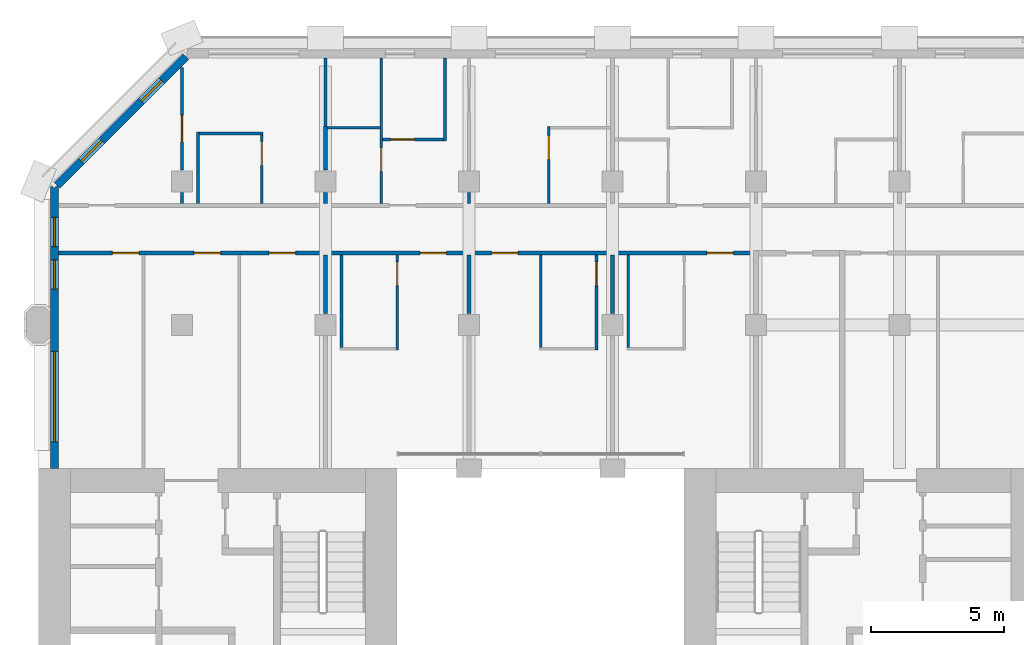
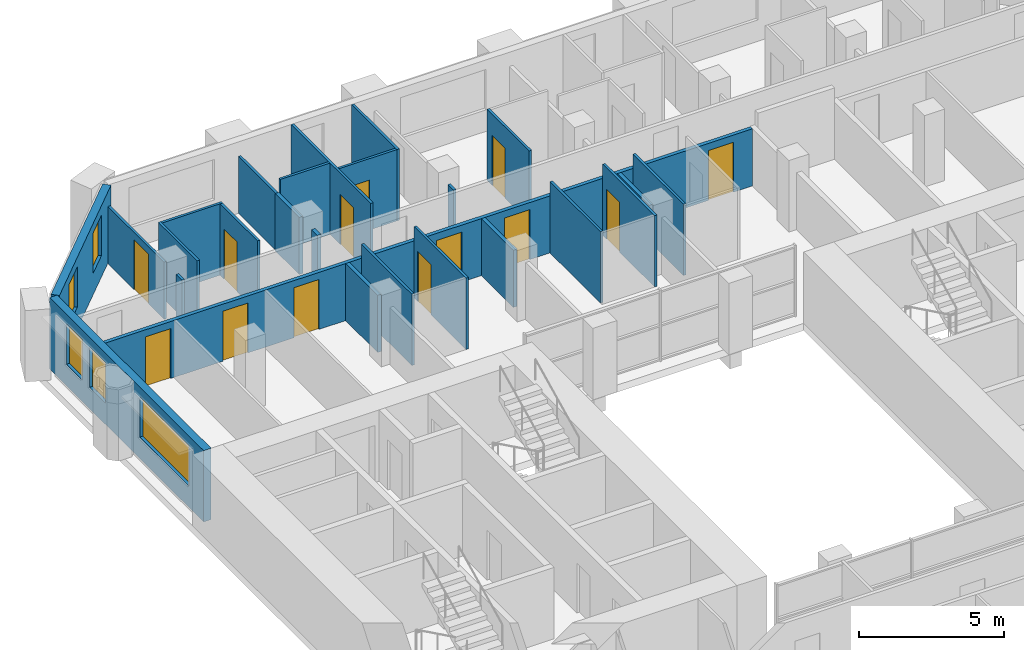
# One storey, part 8 of 13: 25 walls, 13 doors, 5 windows, 18 openings.
"""IFC4 building model written with IfcOpenShell, lengths in metres."""

from ifc_helpers import new_model, si_unit, direction, frame, frame_2d, origin, place, context, subcontext, project, spatial, rectangle, extrude, material, layer, layer_set, type_object, element, fill, save


model = new_model("IFC4")

# Units and contexts
model_context = context("Model", 3, precision=1e-05, world=origin(), true_north=direction((0.0, 1.0)))
body_context = subcontext(model_context, "Body", "Model", "MODEL_VIEW")
ifc_project = project(units=[si_unit("LENGTHUNIT", "METRE"), si_unit("AREAUNIT", "SQUARE_METRE"), si_unit("VOLUMEUNIT", "CUBIC_METRE"), si_unit("PLANEANGLEUNIT", "RADIAN"), si_unit("MASSUNIT", "GRAM", prefix="KILO")], contexts=[model_context])

# Site, building, storey
site_placement = place(None, origin())
site = spatial("IfcSite", under=ifc_project, at=site_placement, CompositionType="ELEMENT")
building_placement = place(site_placement, origin())
building = spatial("IfcBuilding", under=site, at=building_placement, Name="Tabaq Tower and Sports Hall", CompositionType="ELEMENT")
storey_placement = place(building_placement, frame((0.0, 0.0, 203.800048828125)))
storey = spatial("IfcBuildingStorey", under=building, at=storey_placement, Name="L50", CompositionType="ELEMENT", Elevation=203.800048828125)

# Wall, opening, door
ifc_material_1 = material(Name="Gypsum board on steel studs", Category="steel")
ifc_layer_1 = layer(ifc_material_1, 0.10009765625)
ifc_layer_set_1 = layer_set([ifc_layer_1], Name="Partition 100 Gypsum board")
wall_type_1 = type_object("IfcWallType", Name="Partition 100 Gypsum board", PredefinedType="PARTITIONING", material=ifc_layer_set_1)
wall_1_placement = place(storey_placement, frame((18.89990234375, 40.425048828125, 0.0), z_axis=(0.0, 0.0, 1.0), x_axis=(0.0, -1.0, 0.0)))
wall_1 = element("IfcWall", 1, at=wall_1_placement, inside=storey, type_object=wall_type_1, Name="Partition wall L50", PredefinedType="PARTITIONING", context=body_context, shape_type="SweptSolid", body=[
    extrude(rectangle(XDim=3.574951171875, YDim=0.10009765625, at=frame_2d((1.78759765625, 0.0))), origin(), (0.0, 0.0, 1.0), 3.0),
])
opening_1_placement = place(wall_1_placement, frame((0.25, 0.0, 0.0)))
opening_1 = element("IfcOpeningElement", 2, at=opening_1_placement, cuts=wall_1, Name="Opening L50-001", PredefinedType="OPENING", context=body_context, shape_type="SweptSolid", body=[
    extrude(rectangle(XDim=0.89990234375, YDim=2.10009765625, at=frame_2d((0.449951171875, 1.050048828125))), frame((0.0, 0.050048828125, 0.0), z_axis=(0.0, -1.0, 0.0), x_axis=(1.0, 0.0, 0.0)), (0.0, 0.0, 1.0), 0.10009765625),
])
ifc_material_2 = material(Name="Timber leaf in steel frame", Category="steel")
door_type_1 = type_object("IfcDoorType", Name="Internal door 900 right hand", OperationType="SINGLE_SWING_RIGHT", PredefinedType="DOOR", material=ifc_material_2)
door_1_placement = place(opening_1_placement, origin())
door_1 = element("IfcDoor", 3, at=door_1_placement, inside=storey, type_object=door_type_1, Name="Internal door L50-001", OperationType="SINGLE_SWING_RIGHT", OverallHeight=2.10009765625, OverallWidth=0.89990234375, PredefinedType="DOOR", context=body_context, shape_type="SweptSolid", body=[
    extrude(rectangle(XDim=0.89990234375, YDim=2.10009765625, at=frame_2d((0.449951171875, 1.050048828125))), frame((0.0, 0.02490234375, 0.0), z_axis=(0.0, -1.0, 0.0), x_axis=(1.0, 0.0, 0.0)), (0.0, 0.0, 1.0), 0.050048828125),
])
fill(opening_1, door_1)

# Wall
wall_2_placement = place(storey_placement, frame((16.800048828125, 36.949951171875, 0.0), z_axis=(0.0, 0.0, 1.0), x_axis=(0.0, 1.0, 0.0)))
element("IfcWall", 4, at=wall_2_placement, inside=storey, type_object=wall_type_1, Name="Partition wall L50", PredefinedType="PARTITIONING", context=body_context, shape_type="SweptSolid", body=[
    extrude(rectangle(XDim=3.47509765625, YDim=0.10009765625, at=frame_2d((1.737548828125, 0.0))), origin(), (0.0, 0.0, 1.0), 3.0),
])

# Wall, opening, door
wall_3_placement = place(storey_placement, frame((26.39990234375, 40.425048828125, 0.0), z_axis=(0.0, 0.0, 1.0), x_axis=(0.0, -1.0, 0.0)))
wall_3 = element("IfcWall", 5, at=wall_3_placement, inside=storey, type_object=wall_type_1, Name="Partition wall L50", PredefinedType="PARTITIONING", context=body_context, shape_type="SweptSolid", body=[
    extrude(rectangle(XDim=3.574951171875, YDim=0.10009765625, at=frame_2d((1.78759765625, 0.0))), origin(), (0.0, 0.0, 1.0), 3.0),
])
opening_2_placement = place(wall_3_placement, frame((0.25, 0.0, 0.0)))
opening_2 = element("IfcOpeningElement", 6, at=opening_2_placement, cuts=wall_3, Name="Opening L50-002", PredefinedType="OPENING", context=body_context, shape_type="SweptSolid", body=[
    extrude(rectangle(XDim=0.89990234375, YDim=2.10009765625, at=frame_2d((0.449951171875, 1.050048828125))), frame((0.0, 0.050048828125, 0.0), z_axis=(0.0, -1.0, 0.0), x_axis=(1.0, 0.0, 0.0)), (0.0, 0.0, 1.0), 0.10009765625),
])
door_2_placement = place(opening_2_placement, origin())
door_2 = element("IfcDoor", 7, at=door_2_placement, inside=storey, type_object=door_type_1, Name="Internal door L50-002", OperationType="SINGLE_SWING_RIGHT", OverallHeight=2.10009765625, OverallWidth=0.89990234375, PredefinedType="DOOR", context=body_context, shape_type="SweptSolid", body=[
    extrude(rectangle(XDim=0.89990234375, YDim=2.10009765625, at=frame_2d((0.449951171875, 1.050048828125))), frame((0.0, 0.02490234375, 0.0), z_axis=(0.0, -1.0, 0.0), x_axis=(1.0, 0.0, 0.0)), (0.0, 0.0, 1.0), 0.050048828125),
])
fill(opening_2, door_2)

# Walls
for number, where, z_axis, x_axis, name in (
    (8, (24.300048828125, 36.949951171875, 0.0), (0.0, 0.0, 1.0), (0.0, 1.0, 0.0), "Partition wall L50"),
    (9, (27.60009765625, 36.949951171875, 0.0), (0.0, 0.0, 1.0), (0.0, 1.0, 0.0), "Partition wall L50"),
):
    element("IfcWall", number, at=place(storey_placement, frame(where, z_axis=z_axis, x_axis=x_axis)), inside=storey, type_object=wall_type_1, Name=name, PredefinedType="PARTITIONING", context=body_context, shape_type="SweptSolid", body=[
        extrude(rectangle(XDim=3.47509765625, YDim=0.10009765625, at=frame_2d((1.737548828125, 0.0))), origin(), (0.0, 0.0, 1.0), 3.0),
    ])

# Wall, opening, door
wall_4_placement = place(storey_placement, frame((10.800048828125, 47.48779296875, 0.0), z_axis=(0.0, 0.0, 1.0), x_axis=(0.0, -1.0, 0.0)))
wall_4 = element("IfcWall", 10, at=wall_4_placement, inside=storey, type_object=wall_type_1, Name="Partition wall L50", PredefinedType="PARTITIONING", context=body_context, shape_type="SweptSolid", body=[
    extrude(rectangle(XDim=3.86767578125, YDim=0.10009765625, at=frame_2d((1.933837890625, 0.0))), origin(), (0.0, 0.0, 1.0), 2.39990234375),
])
opening_3_placement = place(wall_4_placement, frame((1.80029296875, 0.0, 0.0)))
opening_3 = element("IfcOpeningElement", 11, at=opening_3_placement, cuts=wall_4, Name="Opening L50-035", PredefinedType="OPENING", context=body_context, shape_type="SweptSolid", body=[
    extrude(rectangle(XDim=1.0, YDim=2.10009765625, at=frame_2d((0.5, 1.050048828125))), frame((0.0, 0.050048828125, 0.0), z_axis=(0.0, -1.0, 0.0), x_axis=(1.0, 0.0, 0.0)), (0.0, 0.0, 1.0), 0.10009765625),
])
ifc_material_3 = material(Name="Timber leaf in steel frame", Category="steel")
door_type_2 = type_object("IfcDoorType", Name="Internal door 1000 left hand", OperationType="SINGLE_SWING_LEFT", PredefinedType="DOOR", material=ifc_material_3)
door_3_placement = place(opening_3_placement, origin())
door_3 = element("IfcDoor", 12, at=door_3_placement, inside=storey, type_object=door_type_2, Name="Internal door L50-035", OperationType="SINGLE_SWING_LEFT", OverallHeight=2.10009765625, OverallWidth=1.0, PredefinedType="DOOR", context=body_context, shape_type="SweptSolid", body=[
    extrude(rectangle(XDim=1.0, YDim=2.10009765625, at=frame_2d((0.5, 1.050048828125))), frame((0.0, 0.02490234375, 0.0), z_axis=(0.0, -1.0, 0.0), x_axis=(1.0, 0.0, 0.0)), (0.0, 0.0, 1.0), 0.050048828125),
])
fill(opening_3, door_3)

# Walls
wall_5_placement = place(storey_placement, frame((10.800048828125, 42.780029296875, 0.0), z_axis=(0.0, 0.0, 1.0), x_axis=(0.0, -1.0, 0.0)))
element("IfcWall", 13, at=wall_5_placement, inside=storey, type_object=wall_type_1, Name="Partition wall L50", PredefinedType="PARTITIONING", context=body_context, shape_type="SweptSolid", body=[
    extrude(rectangle(XDim=0.405029296875, YDim=0.10009765625, at=frame_2d((0.20263671875, 0.0))), origin(), (0.0, 0.0, 1.0), 2.39990234375),
])
wall_6_placement = place(storey_placement, frame((11.39990234375, 42.375, 0.0), z_axis=(0.0, 0.0, 1.0), x_axis=(0.0, 1.0, 0.0)))
element("IfcWall", 14, at=wall_6_placement, inside=storey, type_object=wall_type_1, Name="Partition wall L50", PredefinedType="PARTITIONING", context=body_context, shape_type="SweptSolid", body=[
    extrude(rectangle(XDim=2.675048828125, YDim=0.10009765625, at=frame_2d((1.33740234375, 0.0))), origin(), (0.0, 0.0, 1.0), 3.0),
])
wall_7_placement = place(storey_placement, frame((11.449951171875, 45.0, 0.0), z_axis=(0.0, 0.0, 1.0), x_axis=(1.0, 0.0, 0.0)))
element("IfcWall", 15, at=wall_7_placement, inside=storey, type_object=wall_type_1, Name="Partition wall L50", PredefinedType="PARTITIONING", context=body_context, shape_type="SweptSolid", body=[
    extrude(rectangle(XDim=2.400146484375, YDim=0.10009765625, at=frame_2d((1.2001953125, 0.0))), origin(), (0.0, 0.0, 1.0), 3.0),
])

# Wall, opening, door
wall_8_placement = place(storey_placement, frame((13.800048828125, 44.949951171875, 0.0), z_axis=(0.0, 0.0, 1.0), x_axis=(0.0, -1.0, 0.0)))
wall_8 = element("IfcWall", 16, at=wall_8_placement, inside=storey, type_object=wall_type_1, Name="Partition wall L50", PredefinedType="PARTITIONING", context=body_context, shape_type="SweptSolid", body=[
    extrude(rectangle(XDim=2.574951171875, YDim=0.10009765625, at=frame_2d((1.28759765625, 0.0))), origin(), (0.0, 0.0, 1.0), 3.0),
])
opening_4_placement = place(wall_8_placement, frame((0.25, 0.0, 0.0)))
opening_4 = element("IfcOpeningElement", 17, at=opening_4_placement, cuts=wall_8, Name="Opening L50-005", PredefinedType="OPENING", context=body_context, shape_type="SweptSolid", body=[
    extrude(rectangle(XDim=0.89990234375, YDim=2.10009765625, at=frame_2d((0.449951171875, 1.050048828125))), frame((0.0, 0.050048828125, 0.0), z_axis=(0.0, -1.0, 0.0), x_axis=(1.0, 0.0, 0.0)), (0.0, 0.0, 1.0), 0.10009765625),
])
ifc_material_4 = material(Name="Timber leaf in steel frame", Category="steel")
door_type_3 = type_object("IfcDoorType", Name="Internal door 900 left hand", OperationType="SINGLE_SWING_LEFT", PredefinedType="DOOR", material=ifc_material_4)
door_4_placement = place(opening_4_placement, origin())
door_4 = element("IfcDoor", 18, at=door_4_placement, inside=storey, type_object=door_type_3, Name="Internal door L50-005", OperationType="SINGLE_SWING_LEFT", OverallHeight=2.10009765625, OverallWidth=0.89990234375, PredefinedType="DOOR", context=body_context, shape_type="SweptSolid", body=[
    extrude(rectangle(XDim=0.89990234375, YDim=2.10009765625, at=frame_2d((0.449951171875, 1.050048828125))), frame((0.0, 0.02490234375, 0.0), z_axis=(0.0, -1.0, 0.0), x_axis=(1.0, 0.0, 0.0)), (0.0, 0.0, 1.0), 0.050048828125),
])
fill(opening_4, door_4)

# Walls
wall_9_placement = place(storey_placement, frame((16.199951171875, 45.175048828125, 0.0), z_axis=(0.0, 0.0, 1.0), x_axis=(0.0, 1.0, 0.0)))
element("IfcWall", 19, at=wall_9_placement, inside=storey, type_object=wall_type_1, Name="Partition wall L50", PredefinedType="PARTITIONING", context=body_context, shape_type="SweptSolid", body=[
    extrude(rectangle(XDim=2.674072265625, YDim=0.10009765625, at=frame_2d((1.3369140625, 0.0))), origin(), (0.0, 0.0, 1.0), 2.39990234375),
])
wall_10_placement = place(storey_placement, frame((21.60009765625, 42.780029296875, 0.0), z_axis=(0.0, 0.0, 1.0), x_axis=(0.0, -1.0, 0.0)))
element("IfcWall", 20, at=wall_10_placement, inside=storey, type_object=wall_type_1, Name="Partition wall L50", PredefinedType="PARTITIONING", context=body_context, shape_type="SweptSolid", body=[
    extrude(rectangle(XDim=0.405029296875, YDim=0.10009765625, at=frame_2d((0.20263671875, 0.0))), origin(), (0.0, 0.0, 1.0), 2.39990234375),
])

# Wall, opening, door
wall_11_placement = place(storey_placement, frame((24.60009765625, 42.375, 0.0), z_axis=(0.0, 0.0, 1.0), x_axis=(0.0, 1.0, 0.0)))
wall_11 = element("IfcWall", 21, at=wall_11_placement, inside=storey, type_object=wall_type_1, Name="Partition wall L50", PredefinedType="PARTITIONING", context=body_context, shape_type="SweptSolid", body=[
    extrude(rectangle(XDim=2.89990234375, YDim=0.10009765625, at=frame_2d((1.449951171875, 0.0))), origin(), (0.0, 0.0, 1.0), 3.0),
])
opening_5_placement = place(wall_11_placement, frame((1.64990234375, 0.0, 0.0)))
opening_5 = element("IfcOpeningElement", 22, at=opening_5_placement, cuts=wall_11, Name="Opening L50-006", PredefinedType="OPENING", context=body_context, shape_type="SweptSolid", body=[
    extrude(rectangle(XDim=0.89990234375, YDim=2.10009765625, at=frame_2d((0.449951171875, 1.050048828125))), frame((0.0, 0.050048828125, 0.0), z_axis=(0.0, -1.0, 0.0), x_axis=(1.0, 0.0, 0.0)), (0.0, 0.0, 1.0), 0.10009765625),
])
door_5_placement = place(opening_5_placement, origin())
door_5 = element("IfcDoor", 23, at=door_5_placement, inside=storey, type_object=door_type_1, Name="Internal door L50-006", OperationType="SINGLE_SWING_RIGHT", OverallHeight=2.10009765625, OverallWidth=0.89990234375, PredefinedType="DOOR", context=body_context, shape_type="SweptSolid", body=[
    extrude(rectangle(XDim=0.89990234375, YDim=2.10009765625, at=frame_2d((0.449951171875, 1.050048828125))), frame((0.0, 0.02490234375, 0.0), z_axis=(0.0, -1.0, 0.0), x_axis=(1.0, 0.0, 0.0)), (0.0, 0.0, 1.0), 0.050048828125),
])
fill(opening_5, door_5)

# Walls
wall_12_placement = place(storey_placement, frame((18.25, 45.22509765625, 0.0), z_axis=(0.0, 0.0, 1.0), x_axis=(-1.0, 0.0, 0.0)))
element("IfcWall", 24, at=wall_12_placement, inside=storey, type_object=wall_type_1, Name="Partition wall L50", PredefinedType="PARTITIONING", context=body_context, shape_type="SweptSolid", body=[
    extrude(rectangle(XDim=1.97509765625, YDim=0.10009765625, at=frame_2d((0.987548828125, 0.0))), origin(), (0.0, 0.0, 1.0), 3.0),
])
wall_13_placement = place(storey_placement, frame((20.699951171875, 47.84912109375, 0.0), z_axis=(0.0, 0.0, 1.0), x_axis=(0.0, -1.0, 0.0)))
element("IfcWall", 25, at=wall_13_placement, inside=storey, type_object=wall_type_1, Name="Partition wall L50", PredefinedType="PARTITIONING", context=body_context, shape_type="SweptSolid", body=[
    extrude(rectangle(XDim=3.1240234375, YDim=0.10009765625, at=frame_2d((1.56201171875, 0.0))), origin(), (0.0, 0.0, 1.0), 3.0),
])

# Wall, opening, door
wall_14_placement = place(storey_placement, frame((20.64990234375, 44.77490234375, 0.0), z_axis=(0.0, 0.0, 1.0), x_axis=(-1.0, 0.0, 0.0)))
wall_14 = element("IfcWall", 26, at=wall_14_placement, inside=storey, type_object=wall_type_1, Name="Partition wall L50", PredefinedType="PARTITIONING", context=body_context, shape_type="SweptSolid", body=[
    extrude(rectangle(XDim=2.2998046875, YDim=0.10009765625, at=frame_2d((1.14990234375, 0.0))), origin(), (0.0, 0.0, 1.0), 3.0),
])
opening_6_placement = place(wall_14_placement, frame((1.10009765625, 0.0, 0.0)))
opening_6 = element("IfcOpeningElement", 27, at=opening_6_placement, cuts=wall_14, Name="Opening L50-008", PredefinedType="OPENING", context=body_context, shape_type="SweptSolid", body=[
    extrude(rectangle(XDim=0.89990234375, YDim=2.10009765625, at=frame_2d((0.449951171875, 1.050048828125))), frame((0.0, 0.050048828125, 0.0), z_axis=(0.0, -1.0, 0.0), x_axis=(1.0, 0.0, 0.0)), (0.0, 0.0, 1.0), 0.10009765625),
])
door_6_placement = place(opening_6_placement, origin())
door_6 = element("IfcDoor", 28, at=door_6_placement, inside=storey, type_object=door_type_1, Name="Internal door L50-008", OperationType="SINGLE_SWING_RIGHT", OverallHeight=2.10009765625, OverallWidth=0.89990234375, PredefinedType="DOOR", context=body_context, shape_type="SweptSolid", body=[
    extrude(rectangle(XDim=0.89990234375, YDim=2.10009765625, at=frame_2d((0.449951171875, 1.050048828125))), frame((0.0, 0.02490234375, 0.0), z_axis=(0.0, -1.0, 0.0), x_axis=(1.0, 0.0, 0.0)), (0.0, 0.0, 1.0), 0.050048828125),
])
fill(opening_6, door_6)

wall_15_placement = place(storey_placement, frame((18.300048828125, 42.375, 0.0), z_axis=(0.0, 0.0, 1.0), x_axis=(0.0, 1.0, 0.0)))
wall_15 = element("IfcWall", 29, at=wall_15_placement, inside=storey, type_object=wall_type_1, Name="Partition wall L50", PredefinedType="PARTITIONING", context=body_context, shape_type="SweptSolid", body=[
    extrude(rectangle(XDim=5.47412109375, YDim=0.10009765625, at=frame_2d((2.737060546875, 0.0))), origin(), (0.0, 0.0, 1.0), 3.0),
])
opening_7_placement = place(wall_15_placement, frame((1.199951171875, 0.0, 0.0)))
opening_7 = element("IfcOpeningElement", 30, at=opening_7_placement, cuts=wall_15, Name="Opening L50-007", PredefinedType="OPENING", context=body_context, shape_type="SweptSolid", body=[
    extrude(rectangle(XDim=0.89990234375, YDim=2.10009765625, at=frame_2d((0.449951171875, 1.050048828125))), frame((0.0, 0.050048828125, 0.0), z_axis=(0.0, -1.0, 0.0), x_axis=(1.0, 0.0, 0.0)), (0.0, 0.0, 1.0), 0.10009765625),
])
door_7_placement = place(opening_7_placement, origin())
door_7 = element("IfcDoor", 31, at=door_7_placement, inside=storey, type_object=door_type_3, Name="Internal door L50-007", OperationType="SINGLE_SWING_LEFT", OverallHeight=2.10009765625, OverallWidth=0.89990234375, PredefinedType="DOOR", context=body_context, shape_type="SweptSolid", body=[
    extrude(rectangle(XDim=0.89990234375, YDim=2.10009765625, at=frame_2d((0.449951171875, 1.050048828125))), frame((0.0, 0.02490234375, 0.0), z_axis=(0.0, -1.0, 0.0), x_axis=(1.0, 0.0, 0.0)), (0.0, 0.0, 1.0), 0.050048828125),
])
fill(opening_7, door_7)

# Walls
ifc_material_5 = material(Name="Blockwork", Category="masonry")
ifc_layer_2 = layer(ifc_material_5, 0.14990234375)
ifc_layer_set_2 = layer_set([ifc_layer_2], Name="Separating wall 150 Blockwork")
wall_type_2 = type_object("IfcWallType", Name="Separating wall 150 Blockwork", PredefinedType="PARTITIONING", material=ifc_layer_set_2)
for number, where, z_axis, x_axis, name in (
    (32, (21.60009765625, 38.219970703125, 0.0), (0.0, 0.0, 1.0), (0.0, 1.0, 0.0), "Separating wall L50"),
    (33, (16.199951171875, 40.425048828125, 0.0), (0.0, 0.0, 1.0), (0.0, -1.0, 0.0), "Separating wall L50"),
    (34, (27.0, 38.219970703125, 0.0), (0.0, 0.0, 1.0), (0.0, 1.0, 0.0), "Separating wall L50"),
):
    element("IfcWall", number, at=place(storey_placement, frame(where, z_axis=z_axis, x_axis=x_axis)), inside=storey, type_object=wall_type_2, Name=name, PredefinedType="PARTITIONING", context=body_context, shape_type="SweptSolid", body=[
        extrude(rectangle(XDim=2.205078125, YDim=0.14990234375, at=frame_2d((1.1025390625, 0.0))), origin(), (0.0, 0.0, 1.0), 2.39990234375),
    ])
wall_16_placement = place(storey_placement, frame((16.199951171875, 42.375, 0.0), z_axis=(0.0, 0.0, 1.0), x_axis=(0.0, 1.0, 0.0)))
element("IfcWall", 35, at=wall_16_placement, inside=storey, type_object=wall_type_2, Name="Separating wall L50", PredefinedType="PARTITIONING", context=body_context, shape_type="SweptSolid", body=[
    extrude(rectangle(XDim=0.405029296875, YDim=0.14990234375, at=frame_2d((0.20263671875, 0.0))), origin(), (0.0, 0.0, 1.0), 2.39990234375),
])
wall_17_placement = place(storey_placement, frame((16.199951171875, 43.6201171875, 0.0), z_axis=(0.0, 0.0, 1.0), x_axis=(0.0, 1.0, 0.0)))
element("IfcWall", 36, at=wall_17_placement, inside=storey, type_object=wall_type_2, Name="Separating wall L50", PredefinedType="PARTITIONING", context=body_context, shape_type="SweptSolid", body=[
    extrude(rectangle(XDim=1.65478515625, YDim=0.14990234375, at=frame_2d((0.827392578125, 0.0))), origin(), (0.0, 0.0, 1.0), 2.39990234375),
])

# Wall, openings, doors
wall_18_placement = place(storey_placement, frame((32.300048828125, 40.5, 0.0), z_axis=(0.0, 0.0, 1.0), x_axis=(-1.0, 0.0, 0.0)))
wall_18 = element("IfcWall", 37, at=wall_18_placement, inside=storey, type_object=wall_type_2, Name="Separating wall L50", PredefinedType="PARTITIONING", context=body_context, shape_type="SweptSolid", body=[
    extrude(rectangle(XDim=26.149169921875, YDim=0.14990234375, at=frame_2d((13.07470703125, 0.0))), origin(), (0.0, 0.0, 1.0), 2.39990234375),
])
opening_8_placement = place(wall_18_placement, frame((23.1201171875, 0.0, 0.0)))
opening_8 = element("IfcOpeningElement", 38, at=opening_8_placement, cuts=wall_18, Name="Opening L50-014", PredefinedType="OPENING", context=body_context, shape_type="SweptSolid", body=[
    extrude(rectangle(XDim=1.0, YDim=2.10009765625, at=frame_2d((0.5, 1.050048828125))), frame((0.0, 0.074951171875, 0.0), z_axis=(0.0, -1.0, 0.0), x_axis=(1.0, 0.0, 0.0)), (0.0, 0.0, 1.0), 0.14990234375),
])
opening_9_placement = place(wall_18_placement, frame((17.22509765625, 0.0, 0.0)))
opening_9 = element("IfcOpeningElement", 39, at=opening_9_placement, cuts=wall_18, Name="Opening L50-017", PredefinedType="OPENING", context=body_context, shape_type="SweptSolid", body=[
    extrude(rectangle(XDim=1.0, YDim=2.10009765625, at=frame_2d((0.5, 1.050048828125))), frame((0.0, 0.074951171875, 0.0), z_axis=(0.0, -1.0, 0.0), x_axis=(1.0, 0.0, 0.0)), (0.0, 0.0, 1.0), 0.14990234375),
])
opening_10_placement = place(wall_18_placement, frame((11.550048828125, 0.0, 0.0)))
opening_10 = element("IfcOpeningElement", 40, at=opening_10_placement, cuts=wall_18, Name="Opening L50-031", PredefinedType="OPENING", context=body_context, shape_type="SweptSolid", body=[
    extrude(rectangle(XDim=1.0, YDim=2.10009765625, at=frame_2d((0.5, 1.050048828125))), frame((0.0, 0.074951171875, 0.0), z_axis=(0.0, -1.0, 0.0), x_axis=(1.0, 0.0, 0.0)), (0.0, 0.0, 1.0), 0.14990234375),
])
opening_11_placement = place(wall_18_placement, frame((8.85009765625, 0.0, 0.0)))
opening_11 = element("IfcOpeningElement", 41, at=opening_11_placement, cuts=wall_18, Name="Opening L50-032", PredefinedType="OPENING", context=body_context, shape_type="SweptSolid", body=[
    extrude(rectangle(XDim=1.0, YDim=2.10009765625, at=frame_2d((0.5, 1.050048828125))), frame((0.0, 0.074951171875, 0.0), z_axis=(0.0, -1.0, 0.0), x_axis=(1.0, 0.0, 0.0)), (0.0, 0.0, 1.0), 0.14990234375),
])
opening_12_placement = place(wall_18_placement, frame((0.75, 0.0, 0.0)))
opening_12 = element("IfcOpeningElement", 42, at=opening_12_placement, cuts=wall_18, Name="Opening L50-033", PredefinedType="OPENING", context=body_context, shape_type="SweptSolid", body=[
    extrude(rectangle(XDim=1.0, YDim=2.10009765625, at=frame_2d((0.5, 1.050048828125))), frame((0.0, 0.074951171875, 0.0), z_axis=(0.0, -1.0, 0.0), x_axis=(1.0, 0.0, 0.0)), (0.0, 0.0, 1.0), 0.14990234375),
])
opening_13_placement = place(wall_18_placement, frame((20.050048828125, 0.0, 0.0)))
opening_13 = element("IfcOpeningElement", 43, at=opening_13_placement, cuts=wall_18, Name="Opening L50-041", PredefinedType="OPENING", context=body_context, shape_type="SweptSolid", body=[
    extrude(rectangle(XDim=1.0, YDim=2.10009765625, at=frame_2d((0.5, 1.050048828125))), frame((0.0, 0.074951171875, 0.0), z_axis=(0.0, -1.0, 0.0), x_axis=(1.0, 0.0, 0.0)), (0.0, 0.0, 1.0), 0.14990234375),
])
ifc_material_6 = material(Name="Steel fire door", Category="steel")
door_type_4 = type_object("IfcDoorType", Name="Entrance door 1000 left hand", OperationType="SINGLE_SWING_LEFT", PredefinedType="DOOR", material=ifc_material_6)
door_8_placement = place(opening_11_placement, origin())
door_8 = element("IfcDoor", 44, at=door_8_placement, inside=storey, type_object=door_type_4, Name="Entrance door L50-032", OperationType="SINGLE_SWING_LEFT", OverallHeight=2.10009765625, OverallWidth=1.0, PredefinedType="DOOR", context=body_context, shape_type="SweptSolid", body=[
    extrude(rectangle(XDim=1.0, YDim=2.10009765625, at=frame_2d((0.5, 1.050048828125))), frame((0.0, 0.02490234375, 0.0), z_axis=(0.0, -1.0, 0.0), x_axis=(1.0, 0.0, 0.0)), (0.0, 0.0, 1.0), 0.050048828125),
])
fill(opening_11, door_8)
ifc_material_7 = material(Name="Steel fire door", Category="steel")
door_type_5 = type_object("IfcDoorType", Name="Entrance door 1000 right hand", OperationType="SINGLE_SWING_RIGHT", PredefinedType="DOOR", material=ifc_material_7)
door_9_placement = place(opening_10_placement, origin())
door_9 = element("IfcDoor", 45, at=door_9_placement, inside=storey, type_object=door_type_5, Name="Entrance door L50-031", OperationType="SINGLE_SWING_RIGHT", OverallHeight=2.10009765625, OverallWidth=1.0, PredefinedType="DOOR", context=body_context, shape_type="SweptSolid", body=[
    extrude(rectangle(XDim=1.0, YDim=2.10009765625, at=frame_2d((0.5, 1.050048828125))), frame((0.0, 0.02490234375, 0.0), z_axis=(0.0, -1.0, 0.0), x_axis=(1.0, 0.0, 0.0)), (0.0, 0.0, 1.0), 0.050048828125),
])
fill(opening_10, door_9)
door_10_placement = place(opening_12_placement, origin())
door_10 = element("IfcDoor", 46, at=door_10_placement, inside=storey, type_object=door_type_5, Name="Entrance door L50-033", OperationType="SINGLE_SWING_RIGHT", OverallHeight=2.10009765625, OverallWidth=1.0, PredefinedType="DOOR", context=body_context, shape_type="SweptSolid", body=[
    extrude(rectangle(XDim=1.0, YDim=2.10009765625, at=frame_2d((0.5, 1.050048828125))), frame((0.0, 0.02490234375, 0.0), z_axis=(0.0, -1.0, 0.0), x_axis=(1.0, 0.0, 0.0)), (0.0, 0.0, 1.0), 0.050048828125),
])
fill(opening_12, door_10)
door_11_placement = place(opening_8_placement, origin())
door_11 = element("IfcDoor", 47, at=door_11_placement, inside=storey, type_object=door_type_2, Name="Internal door L50-014", OperationType="SINGLE_SWING_LEFT", OverallHeight=2.10009765625, OverallWidth=1.0, PredefinedType="DOOR", context=body_context, shape_type="SweptSolid", body=[
    extrude(rectangle(XDim=1.0, YDim=2.10009765625, at=frame_2d((0.5, 1.050048828125))), frame((0.0, 0.02490234375, 0.0), z_axis=(0.0, -1.0, 0.0), x_axis=(1.0, 0.0, 0.0)), (0.0, 0.0, 1.0), 0.050048828125),
])
fill(opening_8, door_11)
ifc_material_8 = material(Name="Timber leaf in steel frame", Category="steel")
door_type_6 = type_object("IfcDoorType", Name="Internal door 1000 right hand", OperationType="SINGLE_SWING_RIGHT", PredefinedType="DOOR", material=ifc_material_8)
door_12_placement = place(opening_9_placement, origin())
door_12 = element("IfcDoor", 48, at=door_12_placement, inside=storey, type_object=door_type_6, Name="Internal door L50-017", OperationType="SINGLE_SWING_RIGHT", OverallHeight=2.10009765625, OverallWidth=1.0, PredefinedType="DOOR", context=body_context, shape_type="SweptSolid", body=[
    extrude(rectangle(XDim=1.0, YDim=2.10009765625, at=frame_2d((0.5, 1.050048828125))), frame((0.0, 0.02490234375, 0.0), z_axis=(0.0, -1.0, 0.0), x_axis=(1.0, 0.0, 0.0)), (0.0, 0.0, 1.0), 0.050048828125),
])
fill(opening_9, door_12)
door_13_placement = place(opening_13_placement, origin())
door_13 = element("IfcDoor", 49, at=door_13_placement, inside=storey, type_object=door_type_6, Name="Internal door L50-041", OperationType="SINGLE_SWING_RIGHT", OverallHeight=2.10009765625, OverallWidth=1.0, PredefinedType="DOOR", context=body_context, shape_type="SweptSolid", body=[
    extrude(rectangle(XDim=1.0, YDim=2.10009765625, at=frame_2d((0.5, 1.050048828125))), frame((0.0, 0.02490234375, 0.0), z_axis=(0.0, -1.0, 0.0), x_axis=(1.0, 0.0, 0.0)), (0.0, 0.0, 1.0), 0.050048828125),
])
fill(opening_13, door_13)

# Wall, openings, windows
ifc_material_9 = material(Name="White precast concrete C60/75", Category="concrete")
ifc_layer_3 = layer(ifc_material_9, 0.300048828125)
ifc_layer_set_3 = layer_set([ifc_layer_3], Name="White precast concrete C60/75 external wall 300")
wall_type_3 = type_object("IfcWallType", Name="White precast concrete C60/75 external wall 300", PredefinedType="SOLIDWALL", material=ifc_layer_set_3)
wall_19_placement = place(storey_placement, frame((10.949462890625, 47.901123046875, 0.0), z_axis=(0.0, 0.0, 1.0), x_axis=(-0.707106781187, -0.707106781187, 0.0)))
wall_19 = element("IfcWall", 50, at=wall_19_placement, inside=storey, type_object=wall_type_3, Name="External Wall L50 NW", PredefinedType="SOLIDWALL", context=body_context, shape_type="SweptSolid", body=[
    extrude(rectangle(XDim=6.85986328125, YDim=0.300048828125, at=frame_2d((3.429931640625, 0.0))), origin(), (0.0, 0.0, 1.0), 3.0),
])
opening_14_placement = place(wall_19_placement, frame((1.27978515625, 0.0, 0.89990234375)))
opening_14 = element("IfcOpeningElement", 51, at=opening_14_placement, cuts=wall_19, Name="Opening W1B", PredefinedType="OPENING", context=body_context, shape_type="SweptSolid", body=[
    extrude(rectangle(XDim=1.10009765625, YDim=1.699951171875, at=frame_2d((0.550048828125, 0.85009765625))), frame((0.0, 0.16015625, 0.0), z_axis=(0.0, -1.0, 0.0), x_axis=(1.0, 0.0, 0.0)), (0.0, 0.0, 1.0), 0.320068359375),
])
opening_15_placement = place(wall_19_placement, frame((4.479736328125, 0.0, 0.89990234375)))
opening_15 = element("IfcOpeningElement", 52, at=opening_15_placement, cuts=wall_19, Name="Opening W1B", PredefinedType="OPENING", context=body_context, shape_type="SweptSolid", body=[
    extrude(rectangle(XDim=1.10009765625, YDim=1.699951171875, at=frame_2d((0.550048828125, 0.85009765625))), frame((0.0, 0.16015625, 0.0), z_axis=(0.0, -1.0, 0.0), x_axis=(1.0, 0.0, 0.0)), (0.0, 0.0, 1.0), 0.320068359375),
])
ifc_material_10 = material(Name="Aluminium framed clear glazing", Category="aluminium")
window_type_1 = type_object("IfcWindowType", Name="Window W1B", PartitioningType="SINGLE_PANEL", PredefinedType="WINDOW", material=ifc_material_10)
window_1_placement = place(opening_14_placement, origin())
window_1 = element("IfcWindow", 53, at=window_1_placement, inside=storey, type_object=window_type_1, Name="Window W1B L50", OverallHeight=1.699951171875, OverallWidth=1.10009765625, PartitioningType="SINGLE_PANEL", PredefinedType="WINDOW", context=body_context, shape_type="SweptSolid", body=[
    extrude(rectangle(XDim=1.10009765625, YDim=1.699951171875, at=frame_2d((0.550048828125, 0.85009765625))), frame((0.0, 0.030029296875, 0.0), z_axis=(0.0, -1.0, 0.0), x_axis=(1.0, 0.0, 0.0)), (0.0, 0.0, 1.0), 0.06005859375),
])
fill(opening_14, window_1)
window_2_placement = place(opening_15_placement, origin())
window_2 = element("IfcWindow", 54, at=window_2_placement, inside=storey, type_object=window_type_1, Name="Window W1B L50", OverallHeight=1.699951171875, OverallWidth=1.10009765625, PartitioningType="SINGLE_PANEL", PredefinedType="WINDOW", context=body_context, shape_type="SweptSolid", body=[
    extrude(rectangle(XDim=1.10009765625, YDim=1.699951171875, at=frame_2d((0.550048828125, 0.85009765625))), frame((0.0, 0.030029296875, 0.0), z_axis=(0.0, -1.0, 0.0), x_axis=(1.0, 0.0, 0.0)), (0.0, 0.0, 1.0), 0.06005859375),
])
fill(opening_15, window_2)

wall_20_placement = place(storey_placement, frame((6.0, 43.013671875, 0.0), z_axis=(0.0, 0.0, 1.0), x_axis=(0.0, -1.0, 0.0)))
wall_20 = element("IfcWall", 55, at=wall_20_placement, inside=storey, type_object=wall_type_3, Name="External Wall L50 W", PredefinedType="SOLIDWALL", context=body_context, shape_type="SweptSolid", body=[
    extrude(rectangle(XDim=10.61376953125, YDim=0.300048828125, at=frame_2d((5.306884765625, 0.0))), origin(), (0.0, 0.0, 1.0), 3.0),
])
opening_16_placement = place(wall_20_placement, frame((1.16357421875, 0.0, 0.89990234375)))
opening_16 = element("IfcOpeningElement", 56, at=opening_16_placement, cuts=wall_20, Name="Opening W1B", PredefinedType="OPENING", context=body_context, shape_type="SweptSolid", body=[
    extrude(rectangle(XDim=1.10009765625, YDim=1.699951171875, at=frame_2d((0.550048828125, 0.85009765625))), frame((0.0, 0.16015625, 0.0), z_axis=(0.0, -1.0, 0.0), x_axis=(1.0, 0.0, 0.0)), (0.0, 0.0, 1.0), 0.320068359375),
])
opening_17_placement = place(wall_20_placement, frame((2.763671875, 0.0, 0.89990234375)))
opening_17 = element("IfcOpeningElement", 57, at=opening_17_placement, cuts=wall_20, Name="Opening W1B", PredefinedType="OPENING", context=body_context, shape_type="SweptSolid", body=[
    extrude(rectangle(XDim=1.10009765625, YDim=1.699951171875, at=frame_2d((0.550048828125, 0.85009765625))), frame((0.0, 0.16015625, 0.0), z_axis=(0.0, -1.0, 0.0), x_axis=(1.0, 0.0, 0.0)), (0.0, 0.0, 1.0), 0.320068359375),
])
opening_18_placement = place(wall_20_placement, frame((6.213623046875, 0.0, 0.89990234375)))
opening_18 = element("IfcOpeningElement", 58, at=opening_18_placement, cuts=wall_20, Name="Opening W1A", PredefinedType="OPENING", context=body_context, shape_type="SweptSolid", body=[
    extrude(rectangle(XDim=3.39990234375, YDim=1.699951171875, at=frame_2d((1.699951171875, 0.85009765625))), frame((0.0, 0.16015625, 0.0), z_axis=(0.0, -1.0, 0.0), x_axis=(1.0, 0.0, 0.0)), (0.0, 0.0, 1.0), 0.320068359375),
])
ifc_material_11 = material(Name="Aluminium framed clear glazing", Category="aluminium")
window_type_2 = type_object("IfcWindowType", Name="Window W1A", PartitioningType="SINGLE_PANEL", PredefinedType="WINDOW", material=ifc_material_11)
window_3_placement = place(opening_18_placement, origin())
window_3 = element("IfcWindow", 59, at=window_3_placement, inside=storey, type_object=window_type_2, Name="Window W1A L50", OverallHeight=1.699951171875, OverallWidth=3.39990234375, PartitioningType="SINGLE_PANEL", PredefinedType="WINDOW", context=body_context, shape_type="SweptSolid", body=[
    extrude(rectangle(XDim=3.39990234375, YDim=1.699951171875, at=frame_2d((1.699951171875, 0.85009765625))), frame((0.0, 0.030029296875, 0.0), z_axis=(0.0, -1.0, 0.0), x_axis=(1.0, 0.0, 0.0)), (0.0, 0.0, 1.0), 0.06005859375),
])
fill(opening_18, window_3)
window_4_placement = place(opening_16_placement, origin())
window_4 = element("IfcWindow", 60, at=window_4_placement, inside=storey, type_object=window_type_1, Name="Window W1B L50", OverallHeight=1.699951171875, OverallWidth=1.10009765625, PartitioningType="SINGLE_PANEL", PredefinedType="WINDOW", context=body_context, shape_type="SweptSolid", body=[
    extrude(rectangle(XDim=1.10009765625, YDim=1.699951171875, at=frame_2d((0.550048828125, 0.85009765625))), frame((0.0, 0.030029296875, 0.0), z_axis=(0.0, -1.0, 0.0), x_axis=(1.0, 0.0, 0.0)), (0.0, 0.0, 1.0), 0.06005859375),
])
fill(opening_16, window_4)
window_5_placement = place(opening_17_placement, origin())
window_5 = element("IfcWindow", 61, at=window_5_placement, inside=storey, type_object=window_type_1, Name="Window W1B L50", OverallHeight=1.699951171875, OverallWidth=1.10009765625, PartitioningType="SINGLE_PANEL", PredefinedType="WINDOW", context=body_context, shape_type="SweptSolid", body=[
    extrude(rectangle(XDim=1.10009765625, YDim=1.699951171875, at=frame_2d((0.550048828125, 0.85009765625))), frame((0.0, 0.030029296875, 0.0), z_axis=(0.0, -1.0, 0.0), x_axis=(1.0, 0.0, 0.0)), (0.0, 0.0, 1.0), 0.06005859375),
])
fill(opening_17, window_5)

save(model, "model.ifc")
